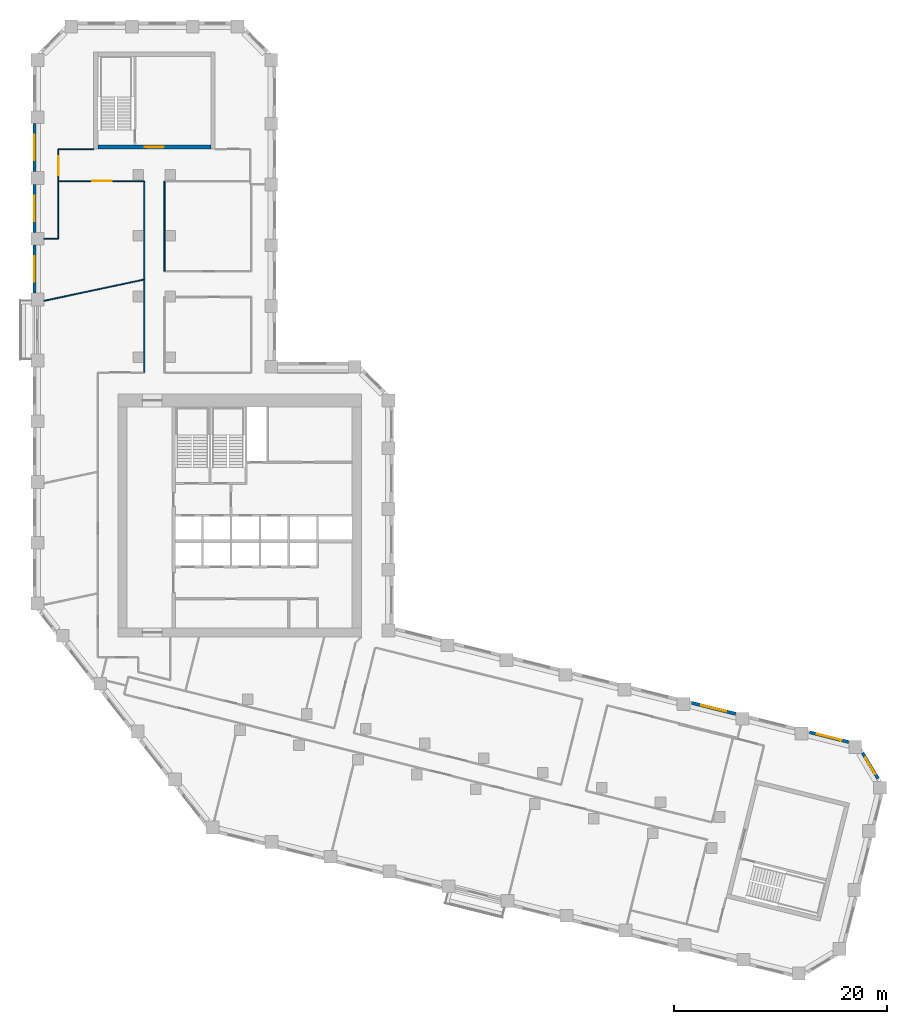
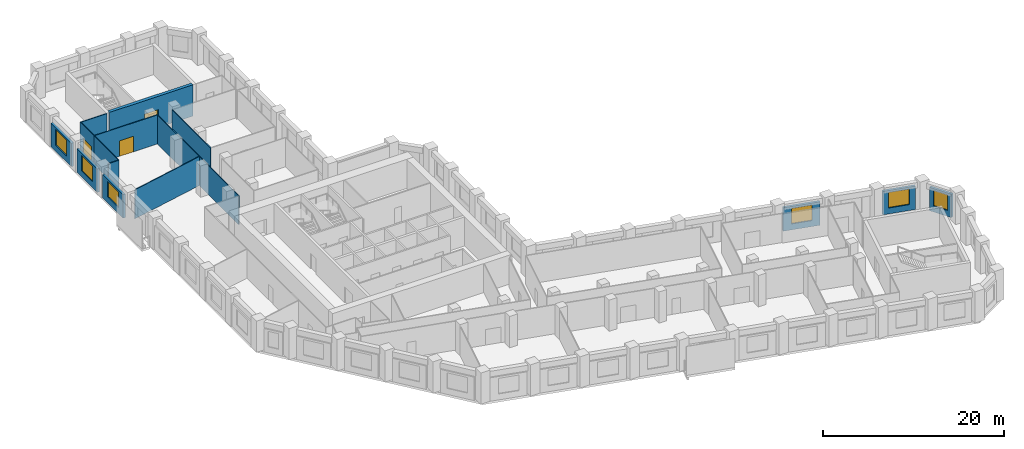
# One storey, part 7 of 10: 15 walls, 6 windows, 3 doors, 9 openings.
"""IFC4 building model written with IfcOpenShell, lengths in metres."""

from ifc_helpers import new_model, si_unit, direction, frame, frame_2d, origin, place, context, subcontext, project, spatial, rectangle, extrude, material, layer, layer_set, type_object, element, fill, save


model = new_model("IFC4")

# Units and contexts
model_context = context("Model", 3, precision=1e-05, world=origin(), true_north=direction((0.0, 1.0)))
body_context = subcontext(model_context, "Body", "Model", "MODEL_VIEW")
ifc_project = project(units=[si_unit("LENGTHUNIT", "METRE"), si_unit("AREAUNIT", "SQUARE_METRE"), si_unit("VOLUMEUNIT", "CUBIC_METRE"), si_unit("PLANEANGLEUNIT", "RADIAN"), si_unit("MASSUNIT", "GRAM", prefix="KILO")], contexts=[model_context])

# Site, building, storey
site_placement = place(None, origin())
site = spatial("IfcSite", under=ifc_project, at=site_placement, CompositionType="ELEMENT")
building_placement = place(site_placement, origin())
building = spatial("IfcBuilding", under=site, at=building_placement, Name="Meshkara Civic Tower", CompositionType="ELEMENT")
storey_placement = place(building_placement, frame((0.0, 0.0, 182.39990234375)))
storey = spatial("IfcBuildingStorey", under=building, at=storey_placement, Name="L41", CompositionType="ELEMENT", Elevation=182.39990234375)

# Wall, opening, door
ifc_material_1 = material(Name="Corridor wall 100")
ifc_layer_1 = layer(ifc_material_1, 0.10009765625)
ifc_layer_set_1 = layer_set([ifc_layer_1], Name="Corridor wall 100")
wall_type_1 = type_object("IfcWallType", Name="Corridor wall 100", PredefinedType="PARTITIONING", material=ifc_layer_set_1)
wall_1_placement = place(storey_placement, frame((2.39990234375, 56.8701171875, 0.0), z_axis=(0.0, 0.0, 1.0), x_axis=(1.0, 0.0, 0.0)))
wall_1 = element("IfcWall", 1, at=wall_1_placement, inside=storey, type_object=wall_type_1, Name="L41-W001", PredefinedType="PARTITIONING", context=body_context, shape_type="SweptSolid", body=[
    extrude(rectangle(XDim=8.050048828125, YDim=0.10009765625, at=frame_2d((4.02490234375, 0.0))), origin(), (0.0, 0.0, 1.0), 3.900146484375),
])
opening_1_placement = place(wall_1_placement, frame((3.179931640625, 0.0, 0.0)))
opening_1 = element("IfcOpeningElement", 2, at=opening_1_placement, cuts=wall_1, Name="Opening L41-D021", PredefinedType="OPENING", context=body_context, shape_type="SweptSolid", body=[
    extrude(rectangle(XDim=1.800048828125, YDim=2.10009765625, at=frame_2d((0.89990234375, 1.050048828125))), frame((0.0, 0.06005859375, 0.0), z_axis=(0.0, -1.0, 0.0), x_axis=(1.0, 0.0, 0.0)), (0.0, 0.0, 1.0), 0.1201171875),
])
ifc_material_2 = material(Name="Door pair 1800 x 2100")
door_type_1 = type_object("IfcDoorType", Name="Door pair 1800 x 2100", OperationType="SINGLE_SWING_LEFT", PredefinedType="DOOR", material=ifc_material_2)
door_1_placement = place(opening_1_placement, origin())
door_1 = element("IfcDoor", 3, at=door_1_placement, inside=storey, type_object=door_type_1, Name="L41-D021", OperationType="DOUBLE_DOOR_SINGLE_SWING", OverallHeight=2.10009765625, OverallWidth=1.800048828125, PredefinedType="DOOR", context=body_context, shape_type="SweptSolid", body=[
    extrude(rectangle(XDim=1.800048828125, YDim=2.10009765625, at=frame_2d((0.89990234375, 1.050048828125))), frame((0.0, 0.02490234375, 0.0), z_axis=(0.0, -1.0, 0.0), x_axis=(1.0, 0.0, 0.0)), (0.0, 0.0, 1.0), 0.050048828125),
])
fill(opening_1, door_1)

wall_2_placement = place(storey_placement, frame((2.39990234375, 59.8701171875, 0.0), z_axis=(0.0, 0.0, 1.0), x_axis=(0.0, -1.0, 0.0)))
wall_2 = element("IfcWall", 4, at=wall_2_placement, inside=storey, type_object=wall_type_1, Name="L41-W002", PredefinedType="PARTITIONING", context=body_context, shape_type="SweptSolid", body=[
    extrude(rectangle(XDim=3.0, YDim=0.10009765625, at=frame_2d((1.5, 0.0))), origin(), (0.0, 0.0, 1.0), 3.900146484375),
])
opening_2_placement = place(wall_2_placement, frame((0.679931640625, 0.0, 0.0)))
opening_2 = element("IfcOpeningElement", 5, at=opening_2_placement, cuts=wall_2, Name="Opening L41-D020", PredefinedType="OPENING", context=body_context, shape_type="SweptSolid", body=[
    extrude(rectangle(XDim=1.800048828125, YDim=2.10009765625, at=frame_2d((0.89990234375, 1.050048828125))), frame((0.0, 0.06005859375, 0.0), z_axis=(0.0, -1.0, 0.0), x_axis=(1.0, 0.0, 0.0)), (0.0, 0.0, 1.0), 0.1201171875),
])
door_2_placement = place(opening_2_placement, origin())
door_2 = element("IfcDoor", 6, at=door_2_placement, inside=storey, type_object=door_type_1, Name="L41-D020", OperationType="DOUBLE_DOOR_SINGLE_SWING", OverallHeight=2.10009765625, OverallWidth=1.800048828125, PredefinedType="DOOR", context=body_context, shape_type="SweptSolid", body=[
    extrude(rectangle(XDim=1.800048828125, YDim=2.10009765625, at=frame_2d((0.89990234375, 1.050048828125))), frame((0.0, 0.02490234375, 0.0), z_axis=(0.0, -1.0, 0.0), x_axis=(1.0, 0.0, 0.0)), (0.0, 0.0, 1.0), 0.050048828125),
])
fill(opening_2, door_2)

# Walls
wall_3_placement = place(storey_placement, frame((5.699951171875, 59.8701171875, 0.0), z_axis=(0.0, 0.0, 1.0), x_axis=(-1.0, 0.0, 0.0)))
element("IfcWall", 7, at=wall_3_placement, inside=storey, type_object=wall_type_1, Name="L41-W003", PredefinedType="PARTITIONING", context=body_context, shape_type="SweptSolid", body=[
    extrude(rectangle(XDim=3.300048828125, YDim=0.10009765625, at=frame_2d((1.64990234375, 0.0))), origin(), (0.0, 0.0, 1.0), 3.900146484375),
])
wall_4_placement = place(storey_placement, frame((10.449951171875, 56.8701171875, 0.0), z_axis=(0.0, 0.0, 1.0), x_axis=(0.0, -1.0, 0.0)))
element("IfcWall", 8, at=wall_4_placement, inside=storey, type_object=wall_type_1, Name="L41-W012", PredefinedType="PARTITIONING", context=body_context, shape_type="SweptSolid", body=[
    extrude(rectangle(XDim=17.97021484375, YDim=0.10009765625, at=frame_2d((8.985107421875, 0.0))), origin(), (0.0, 0.0, 1.0), 3.900146484375),
])
wall_5_placement = place(storey_placement, frame((12.35009765625, 48.39990234375, 0.0), z_axis=(0.0, 0.0, 1.0), x_axis=(0.0, 1.0, 0.0)))
element("IfcWall", 9, at=wall_5_placement, inside=storey, type_object=wall_type_1, Name="L41-W014", PredefinedType="PARTITIONING", context=body_context, shape_type="SweptSolid", body=[
    extrude(rectangle(XDim=8.47021484375, YDim=0.10009765625, at=frame_2d((4.235107421875, 0.0))), origin(), (0.0, 0.0, 1.0), 3.900146484375),
])

# Wall, opening, window
ifc_material_3 = material(Name="Insulated infill panel with bronze anodised aluminium cladding", Category="aluminium")
ifc_layer_2 = layer(ifc_material_3, 0.300048828125)
ifc_layer_set_2 = layer_set([ifc_layer_2], Name="EXTERNAL INFILL WALL 300")
wall_type_2 = type_object("IfcWallType", Name="EXTERNAL INFILL WALL 300", PredefinedType="SOLIDWALL", material=ifc_layer_set_2)
wall_6_placement = place(storey_placement, frame((76.491943359375, 4.27197265625, 0.0), z_axis=(0.0, 0.0, 1.0), x_axis=(-0.970348377394, 0.241710625521, 0.0)))
wall_6 = element("IfcWall", 10, at=wall_6_placement, inside=storey, type_object=wall_type_2, Name="External wall", PredefinedType="SOLIDWALL", context=body_context, shape_type="SweptSolid", body=[
    extrude(rectangle(XDim=3.760498046875, YDim=0.300048828125, at=frame_2d((1.88037109375, 0.0))), origin(), (0.0, 0.0, 1.0), 3.150146484375),
])
opening_3_placement = place(wall_6_placement, frame((0.679931640625, 0.0, 0.800048828125)))
opening_3 = element("IfcOpeningElement", 11, at=opening_3_placement, cuts=wall_6, Name="Opening W7", PredefinedType="OPENING", context=body_context, shape_type="SweptSolid", body=[
    extrude(rectangle(XDim=2.39990234375, YDim=2.10009765625, at=frame_2d((1.199951171875, 1.050048828125))), frame((0.0, 0.159912109375, 0.0), z_axis=(0.0, -1.0, 0.0), x_axis=(1.0, 0.0, 0.0)), (0.0, 0.0, 1.0), 0.320068359375),
])
ifc_material_4 = material(Name="Tinted double glazing", Category="glass")
window_type_1 = type_object("IfcWindowType", Name="WINDOW 2400x2100", PartitioningType="DOUBLE_PANEL_VERTICAL", PredefinedType="WINDOW", material=ifc_material_4)
window_1_placement = place(opening_3_placement, origin())
window_1 = element("IfcWindow", 12, at=window_1_placement, inside=storey, type_object=window_type_1, Name="Window", OverallHeight=2.10009765625, OverallWidth=2.39990234375, PartitioningType="DOUBLE_PANEL_VERTICAL", PredefinedType="WINDOW", context=body_context, shape_type="SweptSolid", body=[
    extrude(rectangle(XDim=2.39990234375, YDim=2.10009765625, at=frame_2d((1.199951171875, 1.050048828125))), frame((0.0, 0.030029296875, 0.0), z_axis=(0.0, -1.0, 0.0), x_axis=(1.0, 0.0, 0.0)), (0.0, 0.0, 1.0), 0.06005859375),
])
fill(opening_3, window_1)

wall_7_placement = place(storey_placement, frame((65.90087890625, 6.912109375, 0.0), z_axis=(0.0, 0.0, 1.0), x_axis=(-0.970260760633, 0.242062091986, 0.0)))
wall_7 = element("IfcWall", 13, at=wall_7_placement, inside=storey, type_object=wall_type_2, Name="External wall", PredefinedType="SOLIDWALL", context=body_context, shape_type="SweptSolid", body=[
    extrude(rectangle(XDim=4.24609375, YDim=0.300048828125, at=frame_2d((2.123046875, 0.0))), origin(), (0.0, 0.0, 1.0), 3.150146484375),
])
opening_4_placement = place(wall_7_placement, frame((0.923095703125, 0.0, 0.800048828125)))
opening_4 = element("IfcOpeningElement", 14, at=opening_4_placement, cuts=wall_7, Name="Opening W7", PredefinedType="OPENING", context=body_context, shape_type="SweptSolid", body=[
    extrude(rectangle(XDim=2.39990234375, YDim=2.10009765625, at=frame_2d((1.199951171875, 1.050048828125))), frame((0.0, 0.159912109375, 0.0), z_axis=(0.0, -1.0, 0.0), x_axis=(1.0, 0.0, 0.0)), (0.0, 0.0, 1.0), 0.320068359375),
])
window_2_placement = place(opening_4_placement, origin())
window_2 = element("IfcWindow", 15, at=window_2_placement, inside=storey, type_object=window_type_1, Name="Window", OverallHeight=2.10009765625, OverallWidth=2.39990234375, PartitioningType="DOUBLE_PANEL_VERTICAL", PredefinedType="WINDOW", context=body_context, shape_type="SweptSolid", body=[
    extrude(rectangle(XDim=2.39990234375, YDim=2.10009765625, at=frame_2d((1.199951171875, 1.050048828125))), frame((0.0, 0.030029296875, 0.0), z_axis=(0.0, -1.0, 0.0), x_axis=(1.0, 0.0, 0.0)), (0.0, 0.0, 1.0), 0.06005859375),
])
fill(opening_4, window_2)

wall_8_placement = place(storey_placement, frame((0.14990234375, 62.2548828125, 0.0), z_axis=(0.0, 0.0, 1.0), x_axis=(0.0, -1.0, 0.0)))
wall_8 = element("IfcWall", 16, at=wall_8_placement, inside=storey, type_object=wall_type_2, Name="External wall", PredefinedType="SOLIDWALL", context=body_context, shape_type="SweptSolid", body=[
    extrude(rectangle(XDim=4.5, YDim=0.300048828125, at=frame_2d((2.25, 0.0))), origin(), (0.0, 0.0, 1.0), 3.150146484375),
])
opening_5_placement = place(wall_8_placement, frame((1.050048828125, 0.0, 0.800048828125)))
opening_5 = element("IfcOpeningElement", 17, at=opening_5_placement, cuts=wall_8, Name="Opening W7", PredefinedType="OPENING", context=body_context, shape_type="SweptSolid", body=[
    extrude(rectangle(XDim=2.39990234375, YDim=2.10009765625, at=frame_2d((1.199951171875, 1.050048828125))), frame((0.0, 0.159912109375, 0.0), z_axis=(0.0, -1.0, 0.0), x_axis=(1.0, 0.0, 0.0)), (0.0, 0.0, 1.0), 0.320068359375),
])
window_3_placement = place(opening_5_placement, origin())
window_3 = element("IfcWindow", 18, at=window_3_placement, inside=storey, type_object=window_type_1, Name="Window", OverallHeight=2.10009765625, OverallWidth=2.39990234375, PartitioningType="DOUBLE_PANEL_VERTICAL", PredefinedType="WINDOW", context=body_context, shape_type="SweptSolid", body=[
    extrude(rectangle(XDim=2.39990234375, YDim=2.10009765625, at=frame_2d((1.199951171875, 1.050048828125))), frame((0.0, 0.030029296875, 0.0), z_axis=(0.0, -1.0, 0.0), x_axis=(1.0, 0.0, 0.0)), (0.0, 0.0, 1.0), 0.06005859375),
])
fill(opening_5, window_3)

wall_9_placement = place(storey_placement, frame((0.14990234375, 56.554931640625, 0.0), z_axis=(0.0, 0.0, 1.0), x_axis=(0.0, -1.0, 0.0)))
wall_9 = element("IfcWall", 19, at=wall_9_placement, inside=storey, type_object=wall_type_2, Name="External wall", PredefinedType="SOLIDWALL", context=body_context, shape_type="SweptSolid", body=[
    extrude(rectangle(XDim=4.5, YDim=0.300048828125, at=frame_2d((2.25, 0.0))), origin(), (0.0, 0.0, 1.0), 3.150146484375),
])
opening_6_placement = place(wall_9_placement, frame((1.050048828125, 0.0, 0.800048828125)))
opening_6 = element("IfcOpeningElement", 20, at=opening_6_placement, cuts=wall_9, Name="Opening W7", PredefinedType="OPENING", context=body_context, shape_type="SweptSolid", body=[
    extrude(rectangle(XDim=2.39990234375, YDim=2.10009765625, at=frame_2d((1.199951171875, 1.050048828125))), frame((0.0, 0.159912109375, 0.0), z_axis=(0.0, -1.0, 0.0), x_axis=(1.0, 0.0, 0.0)), (0.0, 0.0, 1.0), 0.320068359375),
])
window_4_placement = place(opening_6_placement, origin())
window_4 = element("IfcWindow", 21, at=window_4_placement, inside=storey, type_object=window_type_1, Name="Window", OverallHeight=2.10009765625, OverallWidth=2.39990234375, PartitioningType="DOUBLE_PANEL_VERTICAL", PredefinedType="WINDOW", context=body_context, shape_type="SweptSolid", body=[
    extrude(rectangle(XDim=2.39990234375, YDim=2.10009765625, at=frame_2d((1.199951171875, 1.050048828125))), frame((0.0, 0.030029296875, 0.0), z_axis=(0.0, -1.0, 0.0), x_axis=(1.0, 0.0, 0.0)), (0.0, 0.0, 1.0), 0.06005859375),
])
fill(opening_6, window_4)

wall_10_placement = place(storey_placement, frame((0.14990234375, 50.85498046875, 0.0), z_axis=(0.0, 0.0, 1.0), x_axis=(0.0, -1.0, 0.0)))
wall_10 = element("IfcWall", 22, at=wall_10_placement, inside=storey, type_object=wall_type_2, Name="External wall", PredefinedType="SOLIDWALL", context=body_context, shape_type="SweptSolid", body=[
    extrude(rectangle(XDim=4.5, YDim=0.300048828125, at=frame_2d((2.25, 0.0))), origin(), (0.0, 0.0, 1.0), 3.150146484375),
])
opening_7_placement = place(wall_10_placement, frame((1.050048828125, 0.0, 0.800048828125)))
opening_7 = element("IfcOpeningElement", 23, at=opening_7_placement, cuts=wall_10, Name="Opening W7", PredefinedType="OPENING", context=body_context, shape_type="SweptSolid", body=[
    extrude(rectangle(XDim=2.39990234375, YDim=2.10009765625, at=frame_2d((1.199951171875, 1.050048828125))), frame((0.0, 0.159912109375, 0.0), z_axis=(0.0, -1.0, 0.0), x_axis=(1.0, 0.0, 0.0)), (0.0, 0.0, 1.0), 0.320068359375),
])
window_5_placement = place(opening_7_placement, origin())
window_5 = element("IfcWindow", 24, at=window_5_placement, inside=storey, type_object=window_type_1, Name="Window", OverallHeight=2.10009765625, OverallWidth=2.39990234375, PartitioningType="DOUBLE_PANEL_VERTICAL", PredefinedType="WINDOW", context=body_context, shape_type="SweptSolid", body=[
    extrude(rectangle(XDim=2.39990234375, YDim=2.10009765625, at=frame_2d((1.199951171875, 1.050048828125))), frame((0.0, 0.030029296875, 0.0), z_axis=(0.0, -1.0, 0.0), x_axis=(1.0, 0.0, 0.0)), (0.0, 0.0, 1.0), 0.06005859375),
])
fill(opening_7, window_5)

wall_11_placement = place(storey_placement, frame((79.257080078125, 0.839111328125, 0.0), z_axis=(0.0, 0.0, 1.0), x_axis=(-0.514992914014, 0.857194434487, 0.0)))
wall_11 = element("IfcWall", 25, at=wall_11_placement, inside=storey, type_object=wall_type_2, Name="External wall", PredefinedType="SOLIDWALL", context=body_context, shape_type="SweptSolid", body=[
    extrude(rectangle(XDim=2.81591796875, YDim=0.300048828125, at=frame_2d((1.407958984375, 0.0))), origin(), (0.0, 0.0, 1.0), 3.150146484375),
])
opening_8_placement = place(wall_11_placement, frame((0.508056640625, 0.0, 0.800048828125)))
opening_8 = element("IfcOpeningElement", 26, at=opening_8_placement, cuts=wall_11, Name="Opening W9", PredefinedType="OPENING", context=body_context, shape_type="SweptSolid", body=[
    extrude(rectangle(XDim=1.800048828125, YDim=2.10009765625, at=frame_2d((0.89990234375, 1.050048828125))), frame((0.0, 0.159912109375, 0.0), z_axis=(0.0, -1.0, 0.0), x_axis=(1.0, 0.0, 0.0)), (0.0, 0.0, 1.0), 0.320068359375),
])
ifc_material_5 = material(Name="Tinted double glazing", Category="glass")
window_type_2 = type_object("IfcWindowType", Name="WINDOW 1800x2100", PartitioningType="DOUBLE_PANEL_VERTICAL", PredefinedType="WINDOW", material=ifc_material_5)
window_6_placement = place(opening_8_placement, origin())
window_6 = element("IfcWindow", 27, at=window_6_placement, inside=storey, type_object=window_type_2, Name="Window", OverallHeight=2.10009765625, OverallWidth=1.800048828125, PartitioningType="DOUBLE_PANEL_VERTICAL", PredefinedType="WINDOW", context=body_context, shape_type="SweptSolid", body=[
    extrude(rectangle(XDim=1.800048828125, YDim=2.10009765625, at=frame_2d((0.89990234375, 1.050048828125))), frame((0.0, 0.030029296875, 0.0), z_axis=(0.0, -1.0, 0.0), x_axis=(1.0, 0.0, 0.0)), (0.0, 0.0, 1.0), 0.06005859375),
])
fill(opening_8, window_6)

# Wall, opening, door
ifc_material_6 = material(Name="Concrete C70", Category="concrete")
ifc_layer_3 = layer(ifc_material_6, 0.39990234375)
ifc_layer_set_3 = layer_set([ifc_layer_3], Name="End core ring wall 400 C70")
wall_type_3 = type_object("IfcWallType", Name="End core ring wall 400 C70", PredefinedType="SHEAR", material=ifc_layer_set_3)
wall_12_placement = place(storey_placement, frame((6.10009765625, 60.070068359375, -0.2998046875), z_axis=(0.0, 0.0, 1.0), x_axis=(1.0, 0.0, 0.0)))
wall_12 = element("IfcWall", 28, at=wall_12_placement, inside=storey, type_object=wall_type_3, Name="L41-C024", PredefinedType="SHEAR", context=body_context, shape_type="SweptSolid", body=[
    extrude(rectangle(XDim=10.599853515625, YDim=0.39990234375, at=frame_2d((5.2998046875, 0.0))), origin(), (0.0, 0.0, 1.0), 4.199951171875),
])
opening_9_placement = place(wall_12_placement, frame((4.39990234375, 0.0, 0.300048828125)))
opening_9 = element("IfcOpeningElement", 29, at=opening_9_placement, cuts=wall_12, Name="Opening L41-K102", PredefinedType="OPENING", context=body_context, shape_type="SweptSolid", body=[
    extrude(rectangle(XDim=1.800048828125, YDim=2.10009765625, at=frame_2d((0.89990234375, 1.050048828125))), frame((0.0, 0.2099609375, 0.0), z_axis=(0.0, -1.0, 0.0), x_axis=(1.0, 0.0, 0.0)), (0.0, 0.0, 1.0), 0.419921875),
])
ifc_material_7 = material(Name="Fire-rated door leaf in steel frame", Category="steel")
door_type_2 = type_object("IfcDoorType", Name="Core double door 1800 EI 60", OperationType="DOUBLE_DOOR_SINGLE_SWING", PredefinedType="DOOR", material=ifc_material_7)
door_3_placement = place(opening_9_placement, origin())
door_3 = element("IfcDoor", 30, at=door_3_placement, inside=storey, type_object=door_type_2, Name="L41-K102", OperationType="DOUBLE_DOOR_SINGLE_SWING", OverallHeight=2.10009765625, OverallWidth=1.800048828125, PredefinedType="DOOR", context=body_context, shape_type="SweptSolid", body=[
    extrude(rectangle(XDim=1.800048828125, YDim=2.10009765625, at=frame_2d((0.89990234375, 1.050048828125))), frame((0.0, 0.02490234375, 0.0), z_axis=(0.0, -1.0, 0.0), x_axis=(1.0, 0.0, 0.0)), (0.0, 0.0, 1.0), 0.050048828125),
])
fill(opening_9, door_3)

# Walls
ifc_material_8 = material(Name="Partition 100")
ifc_layer_4 = layer(ifc_material_8, 0.10009765625)
ifc_layer_set_4 = layer_set([ifc_layer_4], Name="Partition 100")
wall_type_4 = type_object("IfcWallType", Name="Partition 100", PredefinedType="PARTITIONING", material=ifc_layer_set_4)
wall_13_placement = place(storey_placement, frame((2.39990234375, 51.455078125, 0.0), z_axis=(0.0, 0.0, 1.0), x_axis=(-1.0, 0.0, 0.0)))
element("IfcWall", 31, at=wall_13_placement, inside=storey, type_object=wall_type_4, Name="L41-W043", PredefinedType="PARTITIONING", context=body_context, shape_type="SweptSolid", body=[
    extrude(rectangle(XDim=1.349853515625, YDim=0.10009765625, at=frame_2d((0.6748046875, 0.0))), origin(), (0.0, 0.0, 1.0), 3.900146484375),
])
wall_14_placement = place(storey_placement, frame((2.39990234375, 56.8740234375, 0.0), z_axis=(0.0, 0.0, 1.0), x_axis=(0.0, -1.0, 0.0)))
element("IfcWall", 32, at=wall_14_placement, inside=storey, type_object=wall_type_4, Name="L41-W044", PredefinedType="PARTITIONING", context=body_context, shape_type="SweptSolid", body=[
    extrude(rectangle(XDim=5.4189453125, YDim=0.10009765625, at=frame_2d((2.70947265625, 0.0))), origin(), (0.0, 0.0, 1.0), 3.900146484375),
])
wall_15_placement = place(storey_placement, frame((10.389892578125, 47.623046875, 0.0), z_axis=(0.0, 0.0, 1.0), x_axis=(-0.978129729955, -0.207995748463, 0.0)))
element("IfcWall", 33, at=wall_15_placement, inside=storey, type_object=wall_type_4, Name="L41-W049", PredefinedType="PARTITIONING", context=body_context, shape_type="SweptSolid", body=[
    extrude(rectangle(XDim=9.548583984375, YDim=0.10009765625, at=frame_2d((4.7744140625, 0.0))), origin(), (0.0, 0.0, 1.0), 3.900146484375),
])

save(model, "model.ifc")
